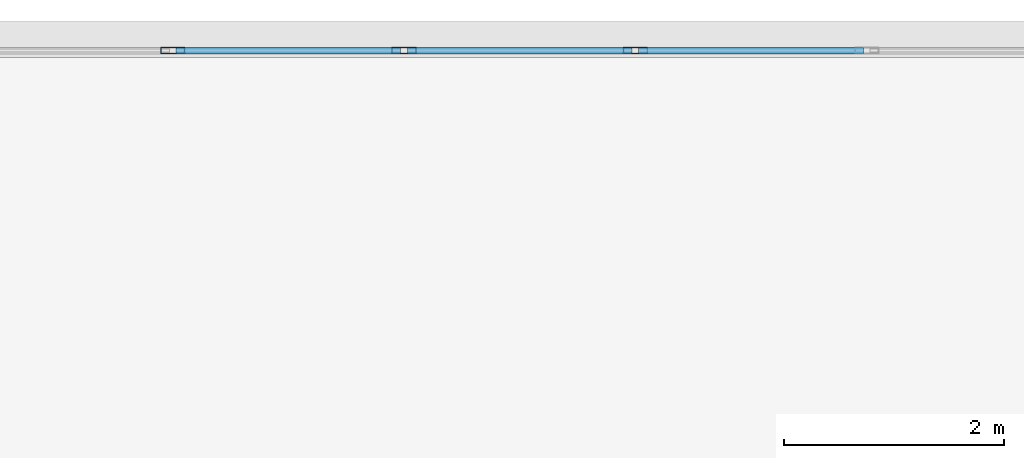
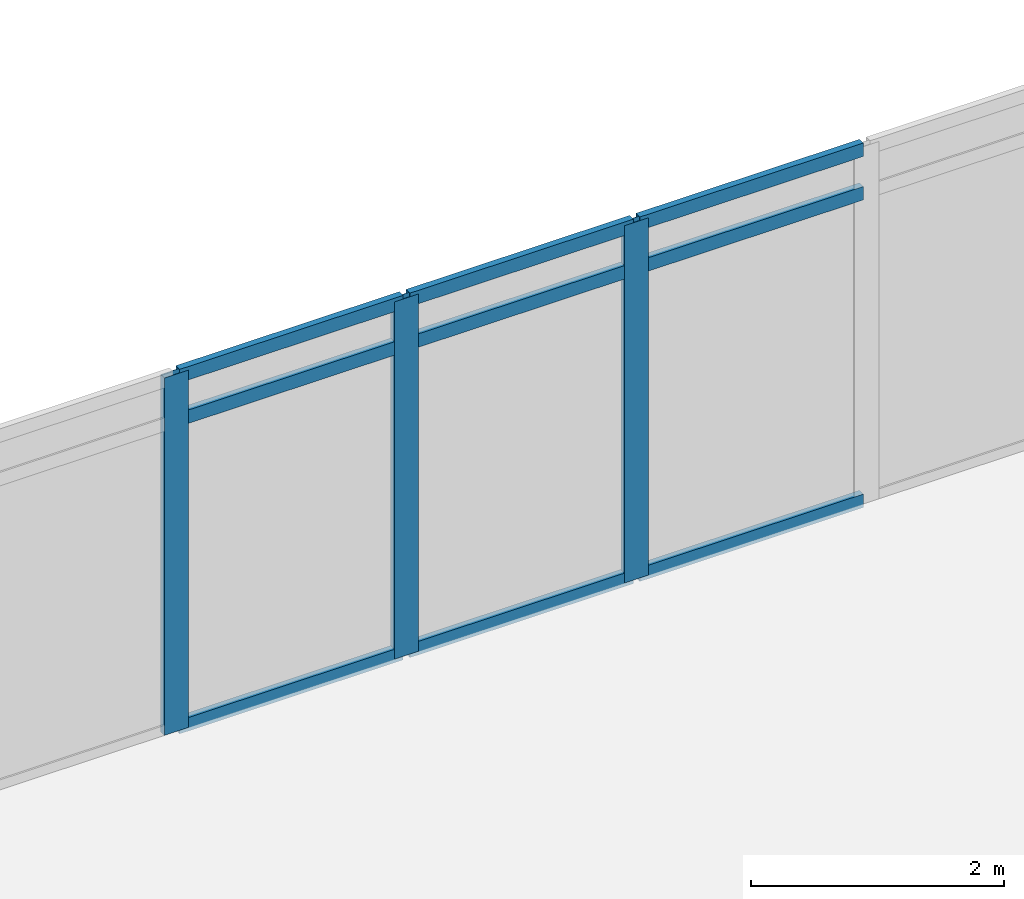
# One storey, part 15 of 28: 12 members, 1 element without a shape of its own.
"""IFC4 building model written with IfcOpenShell, lengths in metres."""

from ifc_helpers import new_model, si_unit, direction, frame, origin, origin_2d, place, context, subcontext, project, spatial, hollow_rectangle, extrude, material, material_profile, profile_set, type_object, element, aggregate, save


model = new_model("IFC4")

# Units and contexts
model_context = context("Model", 3, precision=1e-05, world=origin(), true_north=direction((0.0, 1.0)))
body_context = subcontext(model_context, "Body", "Model", "MODEL_VIEW")
ifc_project = project(units=[si_unit("LENGTHUNIT", "METRE"), si_unit("AREAUNIT", "SQUARE_METRE"), si_unit("VOLUMEUNIT", "CUBIC_METRE"), si_unit("PLANEANGLEUNIT", "RADIAN"), si_unit("MASSUNIT", "GRAM", prefix="KILO")], contexts=[model_context])

# Site, building, storey
site_placement = place(None, origin())
site = spatial("IfcSite", under=ifc_project, at=site_placement, CompositionType="ELEMENT")
building_placement = place(site_placement, origin())
building = spatial("IfcBuilding", under=site, at=building_placement, Name="Ostrander Bayou Hotel Tower", CompositionType="ELEMENT")
storey_placement = place(building_placement, frame((0.0, 0.0, 73.0)))
storey = spatial("IfcBuildingStorey", under=building, at=storey_placement, Name="L18", CompositionType="ELEMENT", Elevation=73.0)

# Curtain wall, members
ifc_material_1 = material(Name="Aluminium and clear glass", Category="aluminium")
curtain_wall_type = type_object("IfcCurtainWallType", Name="CW-BAR glazed wall", PredefinedType="NOTDEFINED", material=ifc_material_1)
curtain_wall_placement = place(storey_placement, origin())
curtain_wall = element("IfcCurtainWall", 1, at=curtain_wall_placement, inside=storey, type_object=curtain_wall_type, Name="CW-BAR L18:SB1N:T", PredefinedType="NOTDEFINED")
ifc_material_2 = material(Name="Aluminium", Category="aluminium")
ifc_material_profile_1 = material_profile(ifc_material_2, hollow_rectangle(XDim=0.06005859375, YDim=0.219970703125, WallThickness=0.00390625, at=origin_2d()))
ifc_profile_set_1 = profile_set([ifc_material_profile_1], Name="Aluminium")
member_type_1 = type_object("IfcMemberType", Name="CW-BR mullion 60 x 220 mm", PredefinedType="MULLION", material=ifc_profile_set_1)
member_1_placement = place(storey_placement, frame((-6.30517578125, 30.88623046875, 0.0), z_axis=(0.0, 0.0, 1.0), x_axis=(0.0, 1.0, 0.0)))
member_1 = element("IfcMember", 2, at=member_1_placement, type_object=member_type_1, Name="CW-BAR mullion 5", PredefinedType="MULLION", context=body_context, shape_type="SweptSolid", body=[
    extrude(hollow_rectangle(XDim=0.06005859375, YDim=0.219970703125, WallThickness=0.00390625, at=origin_2d()), origin(), (0.0, 0.0, 1.0), 3.449951171875),
])
member_2_placement = place(storey_placement, frame((-4.203369140625, 30.88623046875, 0.0), z_axis=(0.0, 0.0, 1.0), x_axis=(0.0, 1.0, 0.0)))
member_2 = element("IfcMember", 3, at=member_2_placement, type_object=member_type_1, Name="CW-BAR mullion 6", PredefinedType="MULLION", context=body_context, shape_type="SweptSolid", body=[
    extrude(hollow_rectangle(XDim=0.06005859375, YDim=0.219970703125, WallThickness=0.00390625, at=origin_2d()), origin(), (0.0, 0.0, 1.0), 3.449951171875),
])
member_3_placement = place(storey_placement, frame((-2.101806640625, 30.88623046875, 0.0), z_axis=(0.0, 0.0, 1.0), x_axis=(0.0, 1.0, 0.0)))
member_3 = element("IfcMember", 4, at=member_3_placement, type_object=member_type_1, Name="CW-BAR mullion 7", PredefinedType="MULLION", context=body_context, shape_type="SweptSolid", body=[
    extrude(hollow_rectangle(XDim=0.06005859375, YDim=0.219970703125, WallThickness=0.00390625, at=origin_2d()), origin(), (0.0, 0.0, 1.0), 3.449951171875),
])
ifc_material_3 = material(Name="Aluminium", Category="aluminium")
ifc_material_profile_2 = material_profile(ifc_material_3, hollow_rectangle(XDim=0.06005859375, YDim=0.1298828125, WallThickness=0.00390625, at=origin_2d()))
ifc_profile_set_2 = profile_set([ifc_material_profile_2], Name="Aluminium")
member_type_2 = type_object("IfcMemberType", Name="CW-BR transom 60 x 130 mm", PredefinedType="USERDEFINED", material=ifc_profile_set_2)
member_4_placement = place(storey_placement, frame((-6.275146484375, 30.88623046875, 0.030029296875), z_axis=(1.0, 0.0, 0.0), x_axis=(0.0, 1.0, 0.0)))
member_4 = element("IfcMember", 5, at=member_4_placement, type_object=member_type_2, Name="CW-BAR transom 5.1", ObjectType="TRANSOM", PredefinedType="USERDEFINED", context=body_context, shape_type="SweptSolid", body=[
    extrude(hollow_rectangle(XDim=0.06005859375, YDim=0.1298828125, WallThickness=0.00390625, at=origin_2d()), origin(), (0.0, 0.0, 1.0), 2.041748046875),
])
member_5_placement = place(storey_placement, frame((-6.275146484375, 30.88623046875, 3.0), z_axis=(1.0, 0.0, 0.0), x_axis=(0.0, 1.0, 0.0)))
member_5 = element("IfcMember", 6, at=member_5_placement, type_object=member_type_2, Name="CW-BAR transom 5.2", ObjectType="TRANSOM", PredefinedType="USERDEFINED", context=body_context, shape_type="SweptSolid", body=[
    extrude(hollow_rectangle(XDim=0.06005859375, YDim=0.1298828125, WallThickness=0.00390625, at=origin_2d()), origin(), (0.0, 0.0, 1.0), 2.041748046875),
])
member_6_placement = place(storey_placement, frame((-6.275146484375, 30.88623046875, 3.419921875), z_axis=(1.0, 0.0, 0.0), x_axis=(0.0, 1.0, 0.0)))
member_6 = element("IfcMember", 7, at=member_6_placement, type_object=member_type_2, Name="CW-BAR transom 5.3", ObjectType="TRANSOM", PredefinedType="USERDEFINED", context=body_context, shape_type="SweptSolid", body=[
    extrude(hollow_rectangle(XDim=0.06005859375, YDim=0.1298828125, WallThickness=0.00390625, at=origin_2d()), origin(), (0.0, 0.0, 1.0), 2.041748046875),
])
member_7_placement = place(storey_placement, frame((-4.173583984375, 30.88623046875, 0.030029296875), z_axis=(1.0, 0.0, 0.0), x_axis=(0.0, 1.0, 0.0)))
member_7 = element("IfcMember", 8, at=member_7_placement, type_object=member_type_2, Name="CW-BAR transom 6.1", ObjectType="TRANSOM", PredefinedType="USERDEFINED", context=body_context, shape_type="SweptSolid", body=[
    extrude(hollow_rectangle(XDim=0.06005859375, YDim=0.1298828125, WallThickness=0.00390625, at=origin_2d()), origin(), (0.0, 0.0, 1.0), 2.041748046875),
])
member_8_placement = place(storey_placement, frame((-4.173583984375, 30.88623046875, 3.0), z_axis=(1.0, 0.0, 0.0), x_axis=(0.0, 1.0, 0.0)))
member_8 = element("IfcMember", 9, at=member_8_placement, type_object=member_type_2, Name="CW-BAR transom 6.2", ObjectType="TRANSOM", PredefinedType="USERDEFINED", context=body_context, shape_type="SweptSolid", body=[
    extrude(hollow_rectangle(XDim=0.06005859375, YDim=0.1298828125, WallThickness=0.00390625, at=origin_2d()), origin(), (0.0, 0.0, 1.0), 2.041748046875),
])
member_9_placement = place(storey_placement, frame((-4.173583984375, 30.88623046875, 3.419921875), z_axis=(1.0, 0.0, 0.0), x_axis=(0.0, 1.0, 0.0)))
member_9 = element("IfcMember", 10, at=member_9_placement, type_object=member_type_2, Name="CW-BAR transom 6.3", ObjectType="TRANSOM", PredefinedType="USERDEFINED", context=body_context, shape_type="SweptSolid", body=[
    extrude(hollow_rectangle(XDim=0.06005859375, YDim=0.1298828125, WallThickness=0.00390625, at=origin_2d()), origin(), (0.0, 0.0, 1.0), 2.041748046875),
])
member_10_placement = place(storey_placement, frame((-2.07177734375, 30.88623046875, 0.030029296875), z_axis=(1.0, 0.0, 0.0), x_axis=(0.0, 1.0, 0.0)))
member_10 = element("IfcMember", 11, at=member_10_placement, type_object=member_type_2, Name="CW-BAR transom 7.1", ObjectType="TRANSOM", PredefinedType="USERDEFINED", context=body_context, shape_type="SweptSolid", body=[
    extrude(hollow_rectangle(XDim=0.06005859375, YDim=0.1298828125, WallThickness=0.00390625, at=origin_2d()), origin(), (0.0, 0.0, 1.0), 2.041748046875),
])
member_11_placement = place(storey_placement, frame((-2.07177734375, 30.88623046875, 3.0), z_axis=(1.0, 0.0, 0.0), x_axis=(0.0, 1.0, 0.0)))
member_11 = element("IfcMember", 12, at=member_11_placement, type_object=member_type_2, Name="CW-BAR transom 7.2", ObjectType="TRANSOM", PredefinedType="USERDEFINED", context=body_context, shape_type="SweptSolid", body=[
    extrude(hollow_rectangle(XDim=0.06005859375, YDim=0.1298828125, WallThickness=0.00390625, at=origin_2d()), origin(), (0.0, 0.0, 1.0), 2.041748046875),
])
member_12_placement = place(storey_placement, frame((-2.07177734375, 30.88623046875, 3.419921875), z_axis=(1.0, 0.0, 0.0), x_axis=(0.0, 1.0, 0.0)))
member_12 = element("IfcMember", 13, at=member_12_placement, type_object=member_type_2, Name="CW-BAR transom 7.3", ObjectType="TRANSOM", PredefinedType="USERDEFINED", context=body_context, shape_type="SweptSolid", body=[
    extrude(hollow_rectangle(XDim=0.06005859375, YDim=0.1298828125, WallThickness=0.00390625, at=origin_2d()), origin(), (0.0, 0.0, 1.0), 2.041748046875),
])
aggregate(curtain_wall, [member_1, member_2, member_3, member_4, member_5, member_6, member_7, member_8, member_9, member_10, member_11, member_12])

save(model, "model.ifc")
